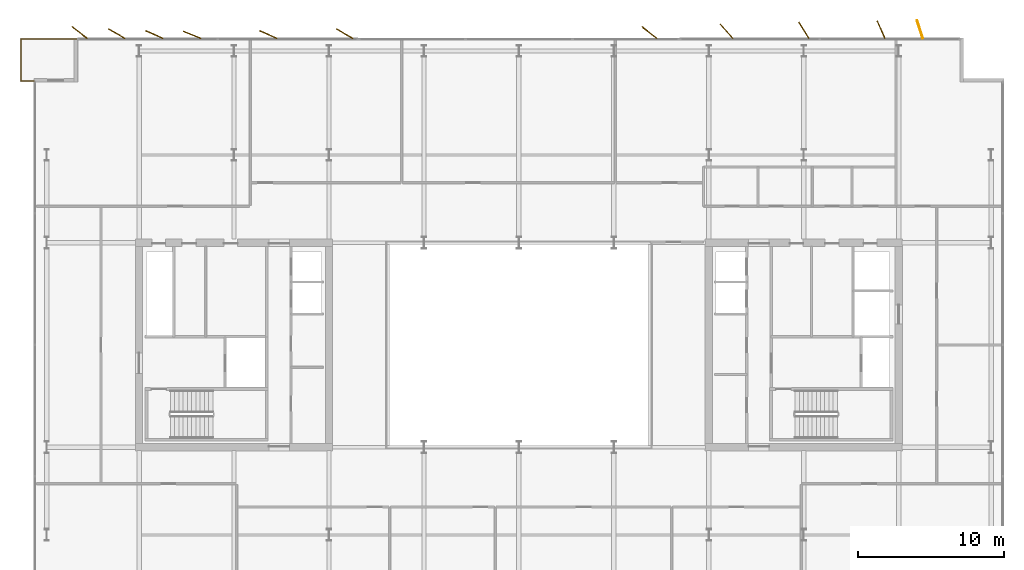
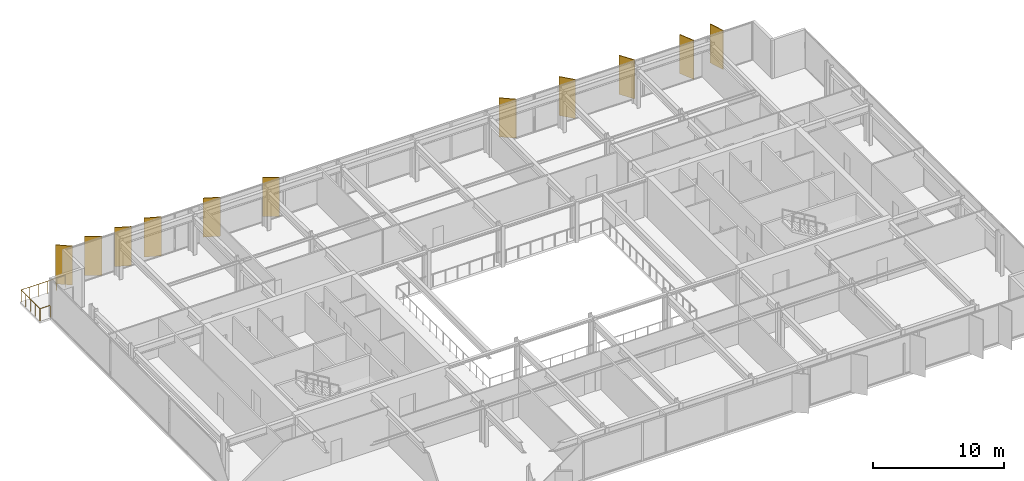
# One storey, part 23 of 23: 11 shading devices, 1 railing.
"""IFC4 building model written with IfcOpenShell, lengths in metres."""

from ifc_helpers import new_model, si_unit, direction, frame, origin, origin_2d, place, context, subcontext, project, spatial, rectangle, circle, extrude, material, layer, layer_set, type_object, element, save


model = new_model("IFC4")

# Units and contexts
model_context = context("Model", 3, precision=1e-05, world=origin(), true_north=direction((0.0, 1.0)))
body_context = subcontext(model_context, "Body", "Model", "MODEL_VIEW")
ifc_project = project(units=[si_unit("LENGTHUNIT", "METRE"), si_unit("AREAUNIT", "SQUARE_METRE"), si_unit("VOLUMEUNIT", "CUBIC_METRE"), si_unit("PLANEANGLEUNIT", "RADIAN"), si_unit("MASSUNIT", "GRAM", prefix="KILO")], contexts=[model_context])

# Site, building, storey
site_placement = place(None, origin())
site = spatial("IfcSite", under=ifc_project, at=site_placement, CompositionType="ELEMENT")
building_placement = place(site_placement, origin())
building = spatial("IfcBuilding", under=site, at=building_placement, Name="Putna Gate Headquarters", CompositionType="ELEMENT")
storey_placement = place(building_placement, frame((0.0, 0.0, 210.0)))
storey = spatial("IfcBuildingStorey", under=building, at=storey_placement, Name="L52", CompositionType="ELEMENT", Elevation=210.0)

# Railing
ifc_material_1 = material(Name="Anodised bronze steel and laminated glass guardrail", Category="steel")
railing_type = type_object("IfcRailingType", Name="RAIL-TERR-GUARD-1150", PredefinedType="GUARDRAIL", material=ifc_material_1)
railing_placement = place(storey_placement, frame((5.800048828125, 44.06005859375, 0.0)))
element("IfcRailing", 1, at=railing_placement, inside=storey, type_object=railing_type, Name="L52 Spiral Sky Terrace Guardrail NW", PredefinedType="GUARDRAIL", context=body_context, shape_type="SweptSolid", body=[
    extrude(circle(Radius=0.02392578125, at=origin_2d()), frame((0.0, 0.0, 1.1259765625), z_axis=(-1.0, 0.0, 0.0), x_axis=(0.0, -1.0, 0.0)), (0.0, 0.0, 1.0), 0.89013671875),
    extrude(circle(Radius=0.02392578125, at=origin_2d()), frame((-0.89013671875, 0.0, 1.1259765625), z_axis=(0.0, 1.0, 0.0), x_axis=(-1.0, 0.0, 0.0)), (0.0, 0.0, 1.0), 2.8798828125),
    extrude(circle(Radius=0.02392578125, at=origin_2d()), frame((-0.89013671875, 2.8798828125, 1.1259765625), z_axis=(1.0, 0.0, 0.0), x_axis=(0.0, 1.0, 0.0)), (0.0, 0.0, 1.0), 3.89013671875),
    extrude(circle(Radius=0.02099609375, at=origin_2d()), origin(), (0.0, 0.0, 1.0), 1.101806640625),
    extrude(circle(Radius=0.02099609375, at=origin_2d()), frame((-0.89013671875, 0.0, 0.0)), (0.0, 0.0, 1.0), 1.101806640625),
    extrude(circle(Radius=0.02099609375, at=origin_2d()), frame((-0.89013671875, 0.719970703125, 0.0)), (0.0, 0.0, 1.0), 1.101806640625),
    extrude(circle(Radius=0.02099609375, at=origin_2d()), frame((-0.89013671875, 1.43994140625, 0.0)), (0.0, 0.0, 1.0), 1.101806640625),
    extrude(circle(Radius=0.02099609375, at=origin_2d()), frame((-0.89013671875, 2.159912109375, 0.0)), (0.0, 0.0, 1.0), 1.101806640625),
    extrude(circle(Radius=0.02099609375, at=origin_2d()), frame((-0.89013671875, 2.8798828125, 0.0)), (0.0, 0.0, 1.0), 1.101806640625),
    extrude(circle(Radius=0.02099609375, at=origin_2d()), frame((-0.112060546875, 2.8798828125, 0.0)), (0.0, 0.0, 1.0), 1.101806640625),
    extrude(circle(Radius=0.02099609375, at=origin_2d()), frame((0.666015625, 2.8798828125, 0.0)), (0.0, 0.0, 1.0), 1.101806640625),
    extrude(circle(Radius=0.02099609375, at=origin_2d()), frame((1.44384765625, 2.8798828125, 0.0)), (0.0, 0.0, 1.0), 1.101806640625),
    extrude(circle(Radius=0.02099609375, at=origin_2d()), frame((2.221923828125, 2.8798828125, 0.0)), (0.0, 0.0, 1.0), 1.101806640625),
    extrude(circle(Radius=0.02099609375, at=origin_2d()), frame((3.0, 2.8798828125, 0.0)), (0.0, 0.0, 1.0), 1.101806640625),
])

# Shading devices
ifc_material_2 = material(Name="Anodised architectural bronze aluminium fin", Category="aluminium")
ifc_layer = layer(ifc_material_2, 0.06494140625)
ifc_layer_set = layer_set([ifc_layer], Name="Anodised architectural bronze aluminium fin")
shading_device_type = type_object("IfcShadingDeviceType", Name="SHADE-BRONZE-FIN-1320", PredefinedType="USERDEFINED", material=ifc_layer_set)
for number, where, z_axis, x_axis, name in (
    (2, (8.930419921875, 47.3818359375, -0.02001953125), (0.0, 0.0, 1.0), (-0.787473187632, 0.616348909921, 0.0), "L52 Bronze Vertical Shading Fin N1"),
    (3, (11.476318359375, 47.30126953125, -0.02001953125), (0.0, 0.0, 1.0), (-0.869322458298, 0.494245347472, 0.0), "L52 Bronze Vertical Shading Fin N2"),
    (4, (14.047119140625, 47.2431640625, -0.02001953125), (0.0, 0.0, 1.0), (-0.913687379856, 0.40641773078, 0.0), "L52 Bronze Vertical Shading Fin N3"),
    (5, (16.63818359375, 47.22216796875, -0.02001953125), (0.0, 0.0, 1.0), (-0.927183854567, 0.374606593416, 0.0), "L52 Bronze Vertical Shading Fin N4"),
    (6, (21.846923828125, 47.2431640625, -0.02001953125), (0.0, 0.0, 1.0), (-0.913687379856, 0.40641773078, 0.0), "L52 Bronze Vertical Shading Fin N5"),
    (7, (27.076171875, 47.30126953125, -0.02001953125), (0.0, 0.0, 1.0), (-0.869322458298, 0.494245347472, 0.0), "L52 Bronze Vertical Shading Fin N6"),
    (8, (47.930419921875, 47.3818359375, -0.02001953125), (0.0, 0.0, 1.0), (-0.787473187632, 0.616348909921, 0.0), "L52 Bronze Vertical Shading Fin N7"),
    (9, (53.20849609375, 47.465576171875, -0.02001953125), (0.0, 0.0, 1.0), (-0.669130606359, 0.743144825477, 0.0), "L52 Bronze Vertical Shading Fin N8"),
    (10, (58.499755859375, 47.534423828125, -0.02001953125), (0.0, 0.0, 1.0), (-0.530659123936, 0.847585331506, 0.0), "L52 Bronze Vertical Shading Fin N9"),
    (11, (63.78564453125, 47.57958984375, -0.02001953125), (0.0, 0.0, 1.0), (-0.400668879095, 0.916222925562, 0.0), "L52 Bronze Vertical Shading Fin N10"),
    (12, (66.4462890625, 47.602783203125, -0.02001953125), (0.0, 0.0, 1.0), (-0.308684994204, 0.951164325631, 0.0), "L52 Bronze Vertical Shading Fin N11"),
):
    element("IfcShadingDevice", number, at=place(storey_placement, frame(where, z_axis=z_axis, x_axis=x_axis)), inside=storey, type_object=shading_device_type, Name=name, ObjectType="FIN", PredefinedType="USERDEFINED", context=body_context, shape_type="SweptSolid", body=[
        extrude(rectangle(XDim=1.320068359375, YDim=0.06494140625, at=origin_2d()), origin(), (0.0, 0.0, 1.0), 3.6201171875),
    ])

save(model, "model.ifc")
